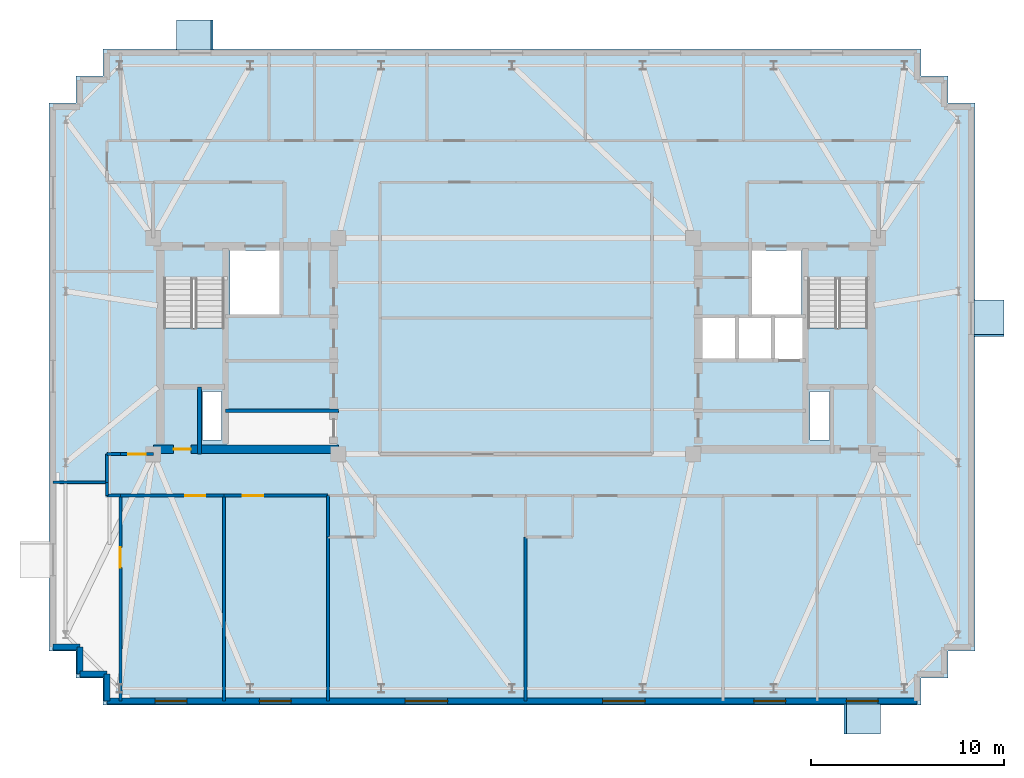
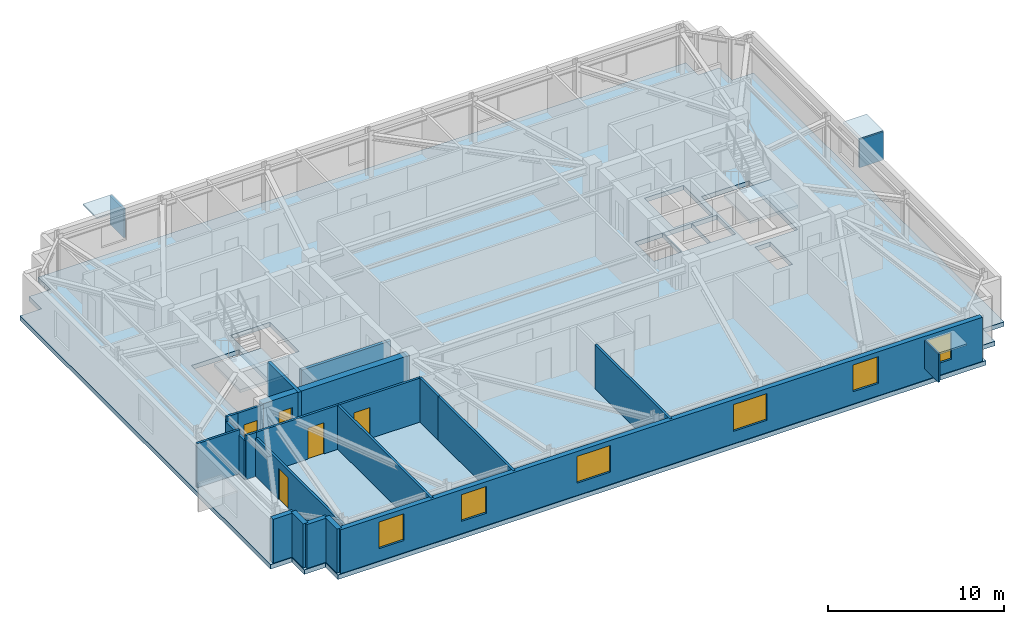
# One storey, part 5 of 11: 21 walls, 6 plates, 6 windows, 5 doors, 3 slabs, 11 openings, 2 elements without a shape of their own.
"""IFC4 building model written with IfcOpenShell, lengths in metres."""

from ifc_helpers import new_model, si_unit, direction, frame, frame_2d, origin, origin_2d, place, context, subcontext, project, spatial, polyline, rectangle, outline, extrude, material, layer, layer_set, type_object, element, fill, aggregate, save


model = new_model("IFC4")

# Units and contexts
model_context = context("Model", 3, precision=1e-05, world=origin(), true_north=direction((0.0, 1.0)))
body_context = subcontext(model_context, "Body", "Model", "MODEL_VIEW")
ifc_project = project(units=[si_unit("LENGTHUNIT", "METRE"), si_unit("AREAUNIT", "SQUARE_METRE"), si_unit("VOLUMEUNIT", "CUBIC_METRE"), si_unit("PLANEANGLEUNIT", "RADIAN"), si_unit("MASSUNIT", "GRAM", prefix="KILO")], contexts=[model_context])

# Site, building, storey
site_placement = place(None, origin())
site = spatial("IfcSite", under=ifc_project, at=site_placement, CompositionType="ELEMENT")
building_placement = place(site_placement, origin())
building = spatial("IfcBuilding", under=site, at=building_placement, Name="Qobustan Lattice House", CompositionType="ELEMENT")
storey_placement = place(building_placement, frame((0.0, 0.0, 255.10009765625)))
storey = spatial("IfcBuildingStorey", under=building, at=storey_placement, Name="L72", CompositionType="ELEMENT", Elevation=255.10009765625)

# Plates
ifc_material_1 = material(Name="Qobustan limestone GFRC", Category="masonry")
ifc_layer_1 = layer(ifc_material_1, 0.1201171875)
ifc_layer_set_1 = layer_set([ifc_layer_1], Name="Qobustan limestone GFRC")
plate_type = type_object("IfcPlateType", Name="SHD-HOOD-BROW", PredefinedType="USERDEFINED", material=ifc_layer_set_1)
plate_1_placement = place(storey_placement, frame((-16.639892578125, 16.1298828125, 2.699951171875), z_axis=(0.0, 0.0, 1.0), x_axis=(1.0, 0.0, 0.0)))
element("IfcPlate", 1, at=plate_1_placement, inside=storey, type_object=plate_type, Name="L72 splayed Qobustan stone hood brow", ObjectType="SUNSHADE", PredefinedType="USERDEFINED", context=body_context, shape_type="SweptSolid", body=[
    extrude(rectangle(XDim=1.889892578125, YDim=1.56005859375, at=origin_2d()), origin(), (0.0, 0.0, 1.0), 0.1201171875),
])
plate_2_placement = place(storey_placement, frame((-15.7548828125, 16.1298828125, 0.7900390625), z_axis=(0.0, 0.0, 1.0), x_axis=(1.0, 0.0, 0.0)))
element("IfcPlate", 2, at=plate_2_placement, inside=storey, type_object=plate_type, Name="L72 splayed Qobustan stone hood cheek", ObjectType="SUNSHADE", PredefinedType="USERDEFINED", context=body_context, shape_type="SweptSolid", body=[
    extrude(rectangle(XDim=0.1201171875, YDim=1.56005859375, at=origin_2d()), origin(), (0.0, 0.0, 1.0), 1.969970703125),
])
plate_3_placement = place(storey_placement, frame((24.530029296875, 1.43994140625, 2.699951171875), z_axis=(0.0, 0.0, 1.0), x_axis=(0.0, -1.0, 0.0)))
element("IfcPlate", 3, at=plate_3_placement, inside=storey, type_object=plate_type, Name="L72 splayed Qobustan stone hood brow", ObjectType="SUNSHADE", PredefinedType="USERDEFINED", context=body_context, shape_type="SweptSolid", body=[
    extrude(rectangle(XDim=1.889892578125, YDim=1.56005859375, at=origin_2d()), origin(), (0.0, 0.0, 1.0), 0.1201171875),
])
plate_4_placement = place(storey_placement, frame((24.530029296875, 0.554931640625, 0.7900390625), z_axis=(0.0, 0.0, 1.0), x_axis=(0.0, -1.0, 0.0)))
element("IfcPlate", 4, at=plate_4_placement, inside=storey, type_object=plate_type, Name="L72 splayed Qobustan stone hood cheek", ObjectType="SUNSHADE", PredefinedType="USERDEFINED", context=body_context, shape_type="SweptSolid", body=[
    extrude(rectangle(XDim=0.1201171875, YDim=1.56005859375, at=origin_2d()), origin(), (0.0, 0.0, 1.0), 1.969970703125),
])
plate_5_placement = place(storey_placement, frame((17.9599609375, -19.330078125, 2.699951171875), z_axis=(0.0, 0.0, 1.0), x_axis=(-1.0, 0.0, 0.0)))
element("IfcPlate", 5, at=plate_5_placement, inside=storey, type_object=plate_type, Name="L72 splayed Qobustan stone hood brow", ObjectType="SUNSHADE", PredefinedType="USERDEFINED", context=body_context, shape_type="SweptSolid", body=[
    extrude(rectangle(XDim=1.889892578125, YDim=1.56005859375, at=origin_2d()), origin(), (0.0, 0.0, 1.0), 0.1201171875),
])
plate_6_placement = place(storey_placement, frame((17.074951171875, -19.330078125, 0.7900390625), z_axis=(0.0, 0.0, 1.0), x_axis=(-1.0, 0.0, 0.0)))
element("IfcPlate", 6, at=plate_6_placement, inside=storey, type_object=plate_type, Name="L72 splayed Qobustan stone hood cheek", ObjectType="SUNSHADE", PredefinedType="USERDEFINED", context=body_context, shape_type="SweptSolid", body=[
    extrude(rectangle(XDim=0.1201171875, YDim=1.56005859375, at=origin_2d()), origin(), (0.0, 0.0, 1.0), 1.969970703125),
])

# Slab
ifc_material_2 = material(Name="Concrete C40/50", Category="concrete")
ifc_layer_2 = layer(ifc_material_2, 0.31005859375)
ifc_layer_set_2 = layer_set([ifc_layer_2], Name="Concrete C40/50")
slab_type_1 = type_object("IfcSlabType", Name="SLB-FLR-310", PredefinedType="FLOOR", material=ifc_layer_set_2)
slab_1_placement = place(storey_placement, frame((0.0, 0.0, -0.31005859375)))
element("IfcSlab", 7, at=slab_1_placement, inside=storey, type_object=slab_type_1, Name="L72 structural floor slab", PredefinedType="FLOOR", context=body_context, shape_type="SweptSolid", body=[
    extrude(outline(polyline([(-21.39990234375, -18.60009765625), (21.0, -18.60009765625), (21.0, -17.199951171875), (22.39990234375, -17.199951171875), (22.39990234375, -15.800048828125), (23.800048828125, -15.800048828125), (23.800048828125, 12.60009765625), (22.39990234375, 12.60009765625), (22.39990234375, 14.0), (21.0, 14.0), (21.0, 15.39990234375), (-21.39990234375, 15.39990234375), (-21.39990234375, 14.0), (-22.800048828125, 14.0), (-22.800048828125, 12.60009765625), (-24.199951171875, 12.60009765625), (-24.199951171875, -15.800048828125), (-22.800048828125, -15.800048828125), (-22.800048828125, -17.199951171875), (-21.39990234375, -17.199951171875), (-21.39990234375, -18.60009765625)]), holes=[polyline([(-18.25, -2.050048828125), (-18.25, 3.489990234375), (-15.1298828125, 3.489990234375), (-15.1298828125, -2.050048828125), (-18.25, -2.050048828125)]), polyline([(15.1298828125, -2.050048828125), (15.1298828125, 3.489990234375), (18.25, 3.489990234375), (18.25, -2.050048828125), (15.1298828125, -2.050048828125)]), polyline([(-14.820068359375, 1.64990234375), (-14.820068359375, 4.9599609375), (-12.25, 4.9599609375), (-12.25, 1.64990234375), (-14.820068359375, 1.64990234375)]), polyline([(12.25, 1.64990234375), (12.25, 4.9599609375), (14.820068359375, 4.9599609375), (14.820068359375, 1.64990234375), (12.25, 1.64990234375)]), polyline([(-16.260009765625, -4.8798828125), (-16.260009765625, -2.360107421875), (-15.260009765625, -2.360107421875), (-15.260009765625, -4.8798828125), (-16.260009765625, -4.8798828125)]), polyline([(15.260009765625, -4.8798828125), (15.260009765625, -2.360107421875), (16.260009765625, -2.360107421875), (16.260009765625, -4.8798828125), (15.260009765625, -4.8798828125)]), polyline([(13.360107421875, -0.679931640625), (13.360107421875, 1.47998046875), (14.97998046875, 1.47998046875), (14.97998046875, -0.679931640625), (13.360107421875, -0.679931640625)]), polyline([(9.6201171875, -0.679931640625), (9.6201171875, 1.47998046875), (11.43994140625, 1.47998046875), (11.43994140625, -0.679931640625), (9.6201171875, -0.679931640625)]), polyline([(11.5, -0.679931640625), (11.5, 1.47998046875), (13.320068359375, 1.47998046875), (13.320068359375, -0.679931640625), (11.5, -0.679931640625)])]), origin(), (0.0, 0.0, 1.0), 0.31005859375),
])

# Stair, slab
ifc_material_3 = material(Name="Concrete C40/50", Category="concrete")
stair_type = type_object("IfcStairType", Name="STR-CORE-DOGLEG", PredefinedType="HALF_TURN_STAIR", material=ifc_material_3)
stair_1_placement = place(storey_placement, origin())
stair_1 = element("IfcStair", 8, at=stair_1_placement, inside=storey, type_object=stair_type, Name="L72 West protected exit stair ST-W1", PredefinedType="HALF_TURN_STAIR")
ifc_material_4 = material(Name="Concrete C40/50", Category="concrete")
ifc_layer_3 = layer(ifc_material_4, 0.199951171875)
ifc_layer_set_3 = layer_set([ifc_layer_3], Name="Concrete C40/50")
slab_type_2 = type_object("IfcSlabType", Name="SLB-LANDING-200", PredefinedType="LANDING", material=ifc_layer_set_3)
slab_2_placement = place(storey_placement, frame((0.0, 0.0, 1.474853515625)))
slab_2 = element("IfcSlab", 9, at=slab_2_placement, type_object=slab_type_2, Name="ST-W1 landing 1", PredefinedType="LANDING", context=body_context, shape_type="SweptSolid", body=[
    extrude(outline(polyline([(-18.25, 0.93505859375), (-18.25, -2.050048828125), (-15.1298828125, -2.050048828125), (-15.1298828125, 0.93505859375), (-18.25, 0.93505859375)])), origin(), (0.0, 0.0, 1.0), 0.199951171875),
])
aggregate(stair_1, [slab_2])

stair_2_placement = place(storey_placement, origin())
stair_2 = element("IfcStair", 10, at=stair_2_placement, inside=storey, type_object=stair_type, Name="L72 East protected exit stair ST-E1", PredefinedType="HALF_TURN_STAIR")
slab_3_placement = place(storey_placement, frame((0.0, 0.0, 1.474853515625)))
slab_3 = element("IfcSlab", 11, at=slab_3_placement, type_object=slab_type_2, Name="ST-E1 landing 1", PredefinedType="LANDING", context=body_context, shape_type="SweptSolid", body=[
    extrude(outline(polyline([(15.1298828125, 0.93505859375), (15.1298828125, -2.050048828125), (18.25, -2.050048828125), (18.25, 0.93505859375), (15.1298828125, 0.93505859375)])), origin(), (0.0, 0.0, 1.0), 0.199951171875),
])
aggregate(stair_2, [slab_3])

# Wall, opening, door
ifc_material_5 = material(Name="Concrete C50/60", Category="concrete")
ifc_layer_4 = layer(ifc_material_5, 0.43994140625)
ifc_layer_set_4 = layer_set([ifc_layer_4], Name="Concrete C50/60")
wall_type_1 = type_object("IfcWallType", Name="WAL-CORE-440", PredefinedType="SHEAR", material=ifc_layer_set_4)
wall_1_placement = place(storey_placement, frame((-18.800048828125, -5.35009765625, 0.0), z_axis=(0.0, 0.0, 1.0), x_axis=(1.0, 0.0, 0.0)))
wall_1 = element("IfcWall", 12, at=wall_1_placement, inside=storey, type_object=wall_type_1, Name="L72 split-core shear wall CW-S", PredefinedType="SHEAR", context=body_context, shape_type="SweptSolid", body=[
    extrude(rectangle(XDim=9.60009765625, YDim=0.43994140625, at=frame_2d((4.800048828125, 0.0))), origin(), (0.0, 0.0, 1.0), 3.039794921875),
])
opening_1_placement = place(wall_1_placement, frame((1.050048828125, 0.0, 0.0)))
opening_1 = element("IfcOpeningElement", 13, at=opening_1_placement, cuts=wall_1, Name="Opening RD-01", PredefinedType="OPENING", context=body_context, shape_type="SweptSolid", body=[
    extrude(rectangle(XDim=0.89990234375, YDim=2.10009765625, at=frame_2d((0.449951171875, 1.050048828125))), frame((0.0, 0.22998046875, 0.0), z_axis=(0.0, -1.0, 0.0), x_axis=(1.0, 0.0, 0.0)), (0.0, 0.0, 1.0), 0.4599609375),
])
ifc_material_6 = material(Name="Persian walnut timber and steel frame door", Category="steel")
door_type_1 = type_object("IfcDoorType", Name="DOR-RISER-FD-900x2100", OperationType="NOTDEFINED", PredefinedType="DOOR", material=ifc_material_6)
door_1_placement = place(opening_1_placement, origin())
door_1 = element("IfcDoor", 14, at=door_1_placement, inside=storey, type_object=door_type_1, Name="L72 core service riser access door W", OperationType="SINGLE_SWING_RIGHT", OverallHeight=2.10009765625, OverallWidth=0.89990234375, PredefinedType="DOOR", context=body_context, shape_type="SweptSolid", body=[
    extrude(rectangle(XDim=0.89990234375, YDim=2.10009765625, at=frame_2d((0.449951171875, 1.050048828125))), frame((0.0, 0.02490234375, 0.0), z_axis=(0.0, -1.0, 0.0), x_axis=(1.0, 0.0, 0.0)), (0.0, 0.0, 1.0), 0.050048828125),
])
fill(opening_1, door_1)

# Walls
ifc_material_7 = material(Name="Precast concrete C40/50", Category="concrete")
ifc_layer_5 = layer(ifc_material_7, 0.320068359375)
ifc_layer_set_5 = layer_set([ifc_layer_5], Name="Precast concrete C40/50")
wall_type_2 = type_object("IfcWallType", Name="WAL-EXT-STONE-320", PredefinedType="SOLIDWALL", material=ifc_layer_set_5)
wall_2_placement = place(storey_placement, frame((-21.199951171875, -18.39990234375, 0.0), z_axis=(0.0, 0.0, 1.0), x_axis=(0.0, 1.0, 0.0)))
element("IfcWall", 15, at=wall_2_placement, inside=storey, type_object=wall_type_2, Name="L72 exterior limestone-clad wall 1", PredefinedType="SOLIDWALL", context=body_context, shape_type="SweptSolid", body=[
    extrude(rectangle(XDim=1.39990234375, YDim=0.320068359375, at=frame_2d((0.699951171875, 0.0))), origin(), (0.0, 0.0, 1.0), 3.039794921875),
])
wall_3_placement = place(storey_placement, frame((-21.199951171875, -17.0, 0.0), z_axis=(0.0, 0.0, 1.0), x_axis=(-1.0, 0.0, 0.0)))
element("IfcWall", 16, at=wall_3_placement, inside=storey, type_object=wall_type_2, Name="L72 exterior limestone-clad wall 2", PredefinedType="SOLIDWALL", context=body_context, shape_type="SweptSolid", body=[
    extrude(rectangle(XDim=1.400146484375, YDim=0.320068359375, at=frame_2d((0.7001953125, 0.0))), origin(), (0.0, 0.0, 1.0), 3.039794921875),
])
for number, where, z_axis, x_axis, name in (
    (17, (-22.60009765625, -17.0, 0.0), (0.0, 0.0, 1.0), (0.0, 1.0, 0.0), "L72 exterior limestone-clad wall 3"),
    (18, (-22.60009765625, -15.60009765625, 0.0), (0.0, 0.0, 1.0), (-1.0, 0.0, 0.0), "L72 exterior limestone-clad wall 4"),
):
    element("IfcWall", number, at=place(storey_placement, frame(where, z_axis=z_axis, x_axis=x_axis)), inside=storey, type_object=wall_type_2, Name=name, PredefinedType="SOLIDWALL", context=body_context, shape_type="SweptSolid", body=[
        extrude(rectangle(XDim=1.39990234375, YDim=0.320068359375, at=frame_2d((0.699951171875, 0.0))), origin(), (0.0, 0.0, 1.0), 3.039794921875),
    ])

# Wall, openings, windows
wall_4_placement = place(storey_placement, frame((20.800048828125, -18.39990234375, 0.0), z_axis=(0.0, 0.0, 1.0), x_axis=(-1.0, 0.0, 0.0)))
wall_4 = element("IfcWall", 19, at=wall_4_placement, inside=storey, type_object=wall_type_2, Name="L72 exterior limestone-clad wall 20", PredefinedType="SOLIDWALL", context=body_context, shape_type="SweptSolid", body=[
    extrude(rectangle(XDim=42.0, YDim=0.320068359375, at=frame_2d((21.0, 0.0))), origin(), (0.0, 0.0, 1.0), 3.039794921875),
])
opening_2_placement = place(wall_4_placement, frame((2.014892578125, 0.0, 0.85009765625)))
opening_2 = element("IfcOpeningElement", 20, at=opening_2_placement, cuts=wall_4, Name="Opening WN-09", PredefinedType="OPENING", context=body_context, shape_type="SweptSolid", body=[
    extrude(rectangle(XDim=1.64990234375, YDim=1.85009765625, at=frame_2d((0.824951171875, 0.925048828125))), frame((0.0, 0.169921875, 0.0), z_axis=(0.0, -1.0, 0.0), x_axis=(1.0, 0.0, 0.0)), (0.0, 0.0, 1.0), 0.340087890625),
])
opening_3_placement = place(wall_4_placement, frame((6.81494140625, 0.0, 0.85009765625)))
opening_3 = element("IfcOpeningElement", 21, at=opening_3_placement, cuts=wall_4, Name="Opening WN-09", PredefinedType="OPENING", context=body_context, shape_type="SweptSolid", body=[
    extrude(rectangle(XDim=1.64990234375, YDim=1.85009765625, at=frame_2d((0.824951171875, 0.925048828125))), frame((0.0, 0.169921875, 0.0), z_axis=(0.0, -1.0, 0.0), x_axis=(1.0, 0.0, 0.0)), (0.0, 0.0, 1.0), 0.340087890625),
])
opening_4_placement = place(wall_4_placement, frame((14.10009765625, 0.0, 0.85009765625)))
opening_4 = element("IfcOpeningElement", 22, at=opening_4_placement, cuts=wall_4, Name="Opening WN-03", PredefinedType="OPENING", context=body_context, shape_type="SweptSolid", body=[
    extrude(rectangle(XDim=2.199951171875, YDim=1.85009765625, at=frame_2d((1.10009765625, 0.925048828125))), frame((0.0, 0.169921875, 0.0), z_axis=(0.0, -1.0, 0.0), x_axis=(1.0, 0.0, 0.0)), (0.0, 0.0, 1.0), 0.340087890625),
])
opening_5_placement = place(wall_4_placement, frame((24.340087890625, 0.0, 0.85009765625)))
opening_5 = element("IfcOpeningElement", 23, at=opening_5_placement, cuts=wall_4, Name="Opening WN-03", PredefinedType="OPENING", context=body_context, shape_type="SweptSolid", body=[
    extrude(rectangle(XDim=2.199951171875, YDim=1.85009765625, at=frame_2d((1.10009765625, 0.925048828125))), frame((0.0, 0.169921875, 0.0), z_axis=(0.0, -1.0, 0.0), x_axis=(1.0, 0.0, 0.0)), (0.0, 0.0, 1.0), 0.340087890625),
])
opening_6_placement = place(wall_4_placement, frame((32.455078125, 0.0, 0.85009765625)))
opening_6 = element("IfcOpeningElement", 24, at=opening_6_placement, cuts=wall_4, Name="Opening WN-09", PredefinedType="OPENING", context=body_context, shape_type="SweptSolid", body=[
    extrude(rectangle(XDim=1.64990234375, YDim=1.85009765625, at=frame_2d((0.824951171875, 0.925048828125))), frame((0.0, 0.169921875, 0.0), z_axis=(0.0, -1.0, 0.0), x_axis=(1.0, 0.0, 0.0)), (0.0, 0.0, 1.0), 0.340087890625),
])
opening_7_placement = place(wall_4_placement, frame((37.85498046875, 0.0, 0.85009765625)))
opening_7 = element("IfcOpeningElement", 25, at=opening_7_placement, cuts=wall_4, Name="Opening WN-09", PredefinedType="OPENING", context=body_context, shape_type="SweptSolid", body=[
    extrude(rectangle(XDim=1.64990234375, YDim=1.85009765625, at=frame_2d((0.824951171875, 0.925048828125))), frame((0.0, 0.169921875, 0.0), z_axis=(0.0, -1.0, 0.0), x_axis=(1.0, 0.0, 0.0)), (0.0, 0.0, 1.0), 0.340087890625),
])
ifc_material_8 = material(Name="Double-glazed low-E aluminium window", Category="aluminium")
window_type_1 = type_object("IfcWindowType", Name="WIN-STU-1650x1850", PartitioningType="SINGLE_PANEL", PredefinedType="WINDOW", material=ifc_material_8)
window_1_placement = place(opening_2_placement, origin())
window_1 = element("IfcWindow", 26, at=window_1_placement, inside=storey, type_object=window_type_1, Name="L72 Academic seminar room window", OverallHeight=1.85009765625, OverallWidth=1.64990234375, PartitioningType="SINGLE_PANEL", PredefinedType="WINDOW", context=body_context, shape_type="SweptSolid", body=[
    extrude(rectangle(XDim=1.64990234375, YDim=1.85009765625, at=frame_2d((0.824951171875, 0.925048828125))), frame((0.0, 0.030029296875, 0.0), z_axis=(0.0, -1.0, 0.0), x_axis=(1.0, 0.0, 0.0)), (0.0, 0.0, 1.0), 0.06005859375),
])
fill(opening_2, window_1)
window_2_placement = place(opening_3_placement, origin())
window_2 = element("IfcWindow", 27, at=window_2_placement, inside=storey, type_object=window_type_1, Name="L72 Group study room window", OverallHeight=1.85009765625, OverallWidth=1.64990234375, PartitioningType="SINGLE_PANEL", PredefinedType="WINDOW", context=body_context, shape_type="SweptSolid", body=[
    extrude(rectangle(XDim=1.64990234375, YDim=1.85009765625, at=frame_2d((0.824951171875, 0.925048828125))), frame((0.0, 0.030029296875, 0.0), z_axis=(0.0, -1.0, 0.0), x_axis=(1.0, 0.0, 0.0)), (0.0, 0.0, 1.0), 0.06005859375),
])
fill(opening_3, window_2)
window_3_placement = place(opening_6_placement, origin())
window_3 = element("IfcWindow", 28, at=window_3_placement, inside=storey, type_object=window_type_1, Name="L72 Focus study room S1B window", OverallHeight=1.85009765625, OverallWidth=1.64990234375, PartitioningType="SINGLE_PANEL", PredefinedType="WINDOW", context=body_context, shape_type="SweptSolid", body=[
    extrude(rectangle(XDim=1.64990234375, YDim=1.85009765625, at=frame_2d((0.824951171875, 0.925048828125))), frame((0.0, 0.030029296875, 0.0), z_axis=(0.0, -1.0, 0.0), x_axis=(1.0, 0.0, 0.0)), (0.0, 0.0, 1.0), 0.06005859375),
])
fill(opening_6, window_3)
window_4_placement = place(opening_7_placement, origin())
window_4 = element("IfcWindow", 29, at=window_4_placement, inside=storey, type_object=window_type_1, Name="L72 Focus study room S1A window", OverallHeight=1.85009765625, OverallWidth=1.64990234375, PartitioningType="SINGLE_PANEL", PredefinedType="WINDOW", context=body_context, shape_type="SweptSolid", body=[
    extrude(rectangle(XDim=1.64990234375, YDim=1.85009765625, at=frame_2d((0.824951171875, 0.925048828125))), frame((0.0, 0.030029296875, 0.0), z_axis=(0.0, -1.0, 0.0), x_axis=(1.0, 0.0, 0.0)), (0.0, 0.0, 1.0), 0.06005859375),
])
fill(opening_7, window_4)
ifc_material_9 = material(Name="Double-glazed low-E aluminium window", Category="aluminium")
window_type_2 = type_object("IfcWindowType", Name="WIN-WIDE-2200x1850", PartitioningType="SINGLE_PANEL", PredefinedType="WINDOW", material=ifc_material_9)
window_5_placement = place(opening_4_placement, origin())
window_5 = element("IfcWindow", 30, at=window_5_placement, inside=storey, type_object=window_type_2, Name="L72 Kitchenette and studio apartment L72-S3 window", OverallHeight=1.85009765625, OverallWidth=2.199951171875, PartitioningType="SINGLE_PANEL", PredefinedType="WINDOW", context=body_context, shape_type="SweptSolid", body=[
    extrude(rectangle(XDim=2.199951171875, YDim=1.85009765625, at=frame_2d((1.10009765625, 0.925048828125))), frame((0.0, 0.030029296875, 0.0), z_axis=(0.0, -1.0, 0.0), x_axis=(1.0, 0.0, 0.0)), (0.0, 0.0, 1.0), 0.06005859375),
])
fill(opening_4, window_5)
window_6_placement = place(opening_5_placement, origin())
window_6 = element("IfcWindow", 31, at=window_6_placement, inside=storey, type_object=window_type_2, Name="L72 Kitchenette and studio apartment L72-S2 window", OverallHeight=1.85009765625, OverallWidth=2.199951171875, PartitioningType="SINGLE_PANEL", PredefinedType="WINDOW", context=body_context, shape_type="SweptSolid", body=[
    extrude(rectangle(XDim=2.199951171875, YDim=1.85009765625, at=frame_2d((1.10009765625, 0.925048828125))), frame((0.0, 0.030029296875, 0.0), z_axis=(0.0, -1.0, 0.0), x_axis=(1.0, 0.0, 0.0)), (0.0, 0.0, 1.0), 0.06005859375),
])
fill(opening_5, window_6)

# Walls
ifc_material_10 = material(Name="Gypsum fireboard acoustic partition", Category="gypsum")
ifc_layer_6 = layer(ifc_material_10, 0.179931640625)
ifc_layer_set_6 = layer_set([ifc_layer_6], Name="Gypsum fireboard acoustic partition")
wall_type_3 = type_object("IfcWallType", Name="WAL-FIRE-180", PredefinedType="PARTITIONING", material=ifc_layer_set_6)
wall_5_placement = place(storey_placement, frame((-15.050048828125, -3.35009765625, 0.0), z_axis=(0.0, 0.0, 1.0), x_axis=(1.0, 0.0, 0.0)))
element("IfcWall", 32, at=wall_5_placement, inside=storey, type_object=wall_type_3, Name="L72 interior partition 10", PredefinedType="PARTITIONING", context=body_context, shape_type="SweptSolid", body=[
    extrude(rectangle(XDim=5.85009765625, YDim=0.179931640625, at=frame_2d((2.925048828125, 0.0))), origin(), (0.0, 0.0, 1.0), 2.7548828125),
])
ifc_material_11 = material(Name="Acoustic twin-stud gypsum partition", Category="gypsum")
ifc_layer_7 = layer(ifc_material_11, 0.14990234375)
ifc_layer_set_7 = layer_set([ifc_layer_7], Name="Acoustic twin-stud gypsum partition")
wall_type_4 = type_object("IfcWallType", Name="WAL-PART-150", PredefinedType="PARTITIONING", material=ifc_layer_set_7)
wall_6_placement = place(storey_placement, frame((-20.5, -7.75, 0.0), z_axis=(0.0, 0.0, 1.0), x_axis=(-1.0, 0.0, 0.0)))
element("IfcWall", 33, at=wall_6_placement, inside=storey, type_object=wall_type_4, Name="L72 interior partition 46", PredefinedType="PARTITIONING", context=body_context, shape_type="SweptSolid", body=[
    extrude(rectangle(XDim=0.699951171875, YDim=0.14990234375, at=frame_2d((0.35009765625, 0.0))), origin(), (0.0, 0.0, 1.0), 3.039794921875),
])
wall_7_placement = place(storey_placement, frame((-21.199951171875, -7.75, 0.0), z_axis=(0.0, 0.0, 1.0), x_axis=(0.0, 1.0, 0.0)))
element("IfcWall", 34, at=wall_7_placement, inside=storey, type_object=wall_type_4, Name="L72 interior partition 47", PredefinedType="PARTITIONING", context=body_context, shape_type="SweptSolid", body=[
    extrude(rectangle(XDim=0.68994140625, YDim=0.14990234375, at=frame_2d((0.344970703125, 0.0))), origin(), (0.0, 0.0, 1.0), 2.69482421875),
])

# Wall, opening, door
wall_8_placement = place(storey_placement, frame((-20.5, -5.60009765625, 0.0), z_axis=(0.0, 0.0, 1.0), x_axis=(1.0, 0.0, 0.0)))
wall_8 = element("IfcWall", 35, at=wall_8_placement, inside=storey, type_object=wall_type_4, Name="L72 interior partition 48", PredefinedType="PARTITIONING", context=body_context, shape_type="SweptSolid", body=[
    extrude(rectangle(XDim=1.699951171875, YDim=0.14990234375, at=frame_2d((0.85009765625, 0.0))), origin(), (0.0, 0.0, 1.0), 3.039794921875),
])
opening_8_placement = place(wall_8_placement, frame((0.39990234375, 0.0, 0.0)))
opening_8 = element("IfcOpeningElement", 36, at=opening_8_placement, cuts=wall_8, Name="Opening WD-01", PredefinedType="OPENING", context=body_context, shape_type="SweptSolid", body=[
    extrude(rectangle(XDim=0.89990234375, YDim=2.10009765625, at=frame_2d((0.449951171875, 1.050048828125))), frame((0.0, 0.0849609375, 0.0), z_axis=(0.0, -1.0, 0.0), x_axis=(1.0, 0.0, 0.0)), (0.0, 0.0, 1.0), 0.169921875),
])
ifc_material_12 = material(Name="Persian walnut timber and steel frame door", Category="steel")
door_type_2 = type_object("IfcDoorType", Name="DOR-WET-900x2100", OperationType="NOTDEFINED", PredefinedType="DOOR", material=ifc_material_12)
door_2_placement = place(opening_8_placement, origin())
door_2 = element("IfcDoor", 37, at=door_2_placement, inside=storey, type_object=door_type_2, Name="L72 South-west floor corridor to Focus study room W2 door", OperationType="SINGLE_SWING_RIGHT", OverallHeight=2.10009765625, OverallWidth=0.89990234375, PredefinedType="DOOR", context=body_context, shape_type="SweptSolid", body=[
    extrude(rectangle(XDim=0.89990234375, YDim=2.10009765625, at=frame_2d((0.449951171875, 1.050048828125))), frame((0.0, 0.02490234375, 0.0), z_axis=(0.0, -1.0, 0.0), x_axis=(1.0, 0.0, 0.0)), (0.0, 0.0, 1.0), 0.050048828125),
])
fill(opening_8, door_2)

# Walls
wall_9_placement = place(storey_placement, frame((-21.199951171875, -7.06005859375, 0.0), z_axis=(0.0, 0.0, 1.0), x_axis=(0.0, 1.0, 0.0)))
element("IfcWall", 38, at=wall_9_placement, inside=storey, type_object=wall_type_4, Name="L72 interior partition 49", PredefinedType="PARTITIONING", context=body_context, shape_type="SweptSolid", body=[
    extrude(rectangle(XDim=1.4599609375, YDim=0.14990234375, at=frame_2d((0.72998046875, 0.0))), origin(), (0.0, 0.0, 1.0), 2.69482421875),
])
wall_10_placement = place(storey_placement, frame((-21.199951171875, -5.60009765625, 0.0), z_axis=(0.0, 0.0, 1.0), x_axis=(1.0, 0.0, 0.0)))
element("IfcWall", 39, at=wall_10_placement, inside=storey, type_object=wall_type_4, Name="L72 interior partition 50", PredefinedType="PARTITIONING", context=body_context, shape_type="SweptSolid", body=[
    extrude(rectangle(XDim=0.699951171875, YDim=0.14990234375, at=frame_2d((0.35009765625, 0.0))), origin(), (0.0, 0.0, 1.0), 3.039794921875),
])

# Wall, opening, door
wall_11_placement = place(storey_placement, frame((-15.125, -7.75, 0.0), z_axis=(0.0, 0.0, 1.0), x_axis=(-1.0, 0.0, 0.0)))
wall_11 = element("IfcWall", 40, at=wall_11_placement, inside=storey, type_object=wall_type_4, Name="L72 interior partition 51", PredefinedType="PARTITIONING", context=body_context, shape_type="SweptSolid", body=[
    extrude(rectangle(XDim=5.375, YDim=0.14990234375, at=frame_2d((2.6875, 0.0))), origin(), (0.0, 0.0, 1.0), 3.039794921875),
])
opening_9_placement = place(wall_11_placement, frame((0.9755859375, 0.0, 0.0)))
opening_9 = element("IfcOpeningElement", 41, at=opening_9_placement, cuts=wall_11, Name="Opening ID-02", PredefinedType="OPENING", context=body_context, shape_type="SweptSolid", body=[
    extrude(rectangle(XDim=1.050048828125, YDim=2.14990234375, at=frame_2d((0.52490234375, 1.074951171875))), frame((0.0, 0.0849609375, 0.0), z_axis=(0.0, -1.0, 0.0), x_axis=(1.0, 0.0, 0.0)), (0.0, 0.0, 1.0), 0.169921875),
])
ifc_material_13 = material(Name="Persian walnut timber and steel frame door", Category="steel")
door_type_3 = type_object("IfcDoorType", Name="DOR-STUDY-1050x2150", OperationType="NOTDEFINED", PredefinedType="DOOR", material=ifc_material_13)
door_3_placement = place(opening_9_placement, origin())
door_3 = element("IfcDoor", 42, at=door_3_placement, inside=storey, type_object=door_type_3, Name="L72 South-west floor corridor to Focus study room S1A door", OperationType="SINGLE_SWING_LEFT", OverallHeight=2.14990234375, OverallWidth=1.050048828125, PredefinedType="DOOR", context=body_context, shape_type="SweptSolid", body=[
    extrude(rectangle(XDim=1.050048828125, YDim=2.14990234375, at=frame_2d((0.52490234375, 1.074951171875))), frame((0.0, 0.02490234375, 0.0), z_axis=(0.0, -1.0, 0.0), x_axis=(1.0, 0.0, 0.0)), (0.0, 0.0, 1.0), 0.050048828125),
])
fill(opening_9, door_3)

wall_12_placement = place(storey_placement, frame((-9.75, -7.75, 0.0), z_axis=(0.0, 0.0, 1.0), x_axis=(-1.0, 0.0, 0.0)))
wall_12 = element("IfcWall", 43, at=wall_12_placement, inside=storey, type_object=wall_type_4, Name="L72 interior partition 52", PredefinedType="PARTITIONING", context=body_context, shape_type="SweptSolid", body=[
    extrude(rectangle(XDim=5.375, YDim=0.14990234375, at=frame_2d((2.6875, 0.0))), origin(), (0.0, 0.0, 1.0), 3.039794921875),
])
opening_10_placement = place(wall_12_placement, frame((3.349365234375, 0.0, 0.0)))
opening_10 = element("IfcOpeningElement", 44, at=opening_10_placement, cuts=wall_12, Name="Opening ID-02", PredefinedType="OPENING", context=body_context, shape_type="SweptSolid", body=[
    extrude(rectangle(XDim=1.050048828125, YDim=2.14990234375, at=frame_2d((0.52490234375, 1.074951171875))), frame((0.0, 0.0849609375, 0.0), z_axis=(0.0, -1.0, 0.0), x_axis=(1.0, 0.0, 0.0)), (0.0, 0.0, 1.0), 0.169921875),
])
door_4_placement = place(opening_10_placement, origin())
door_4 = element("IfcDoor", 45, at=door_4_placement, inside=storey, type_object=door_type_3, Name="L72 South-west floor corridor to Focus study room S1B door", OperationType="SINGLE_SWING_RIGHT", OverallHeight=2.14990234375, OverallWidth=1.050048828125, PredefinedType="DOOR", context=body_context, shape_type="SweptSolid", body=[
    extrude(rectangle(XDim=1.050048828125, YDim=2.14990234375, at=frame_2d((0.52490234375, 1.074951171875))), frame((0.0, 0.02490234375, 0.0), z_axis=(0.0, -1.0, 0.0), x_axis=(1.0, 0.0, 0.0)), (0.0, 0.0, 1.0), 0.050048828125),
])
fill(opening_10, door_4)

# Wall
wall_13_placement = place(storey_placement, frame((-24.0, -7.06005859375, 0.0), z_axis=(0.0, 0.0, 1.0), x_axis=(1.0, 0.0, 0.0)))
element("IfcWall", 46, at=wall_13_placement, inside=storey, type_object=wall_type_4, Name="L72 interior partition 68", PredefinedType="PARTITIONING", context=body_context, shape_type="SweptSolid", body=[
    extrude(rectangle(XDim=2.800048828125, YDim=0.14990234375, at=frame_2d((1.39990234375, 0.0))), origin(), (0.0, 0.0, 1.0), 3.039794921875),
])

# Wall, opening, door
wall_14_placement = place(storey_placement, frame((-20.5, -7.75, 0.0), z_axis=(0.0, 0.0, 1.0), x_axis=(0.0, -1.0, 0.0)))
wall_14 = element("IfcWall", 47, at=wall_14_placement, inside=storey, type_object=wall_type_4, Name="L72 interior partition 69", PredefinedType="PARTITIONING", context=body_context, shape_type="SweptSolid", body=[
    extrude(rectangle(XDim=10.64990234375, YDim=0.14990234375, at=frame_2d((5.324951171875, 0.0))), origin(), (0.0, 0.0, 1.0), 2.664794921875),
])
opening_11_placement = place(wall_14_placement, frame((2.68994140625, 0.0, 0.0)))
opening_11 = element("IfcOpeningElement", 48, at=opening_11_placement, cuts=wall_14, Name="Opening ID-02", PredefinedType="OPENING", context=body_context, shape_type="SweptSolid", body=[
    extrude(rectangle(XDim=1.050048828125, YDim=2.14990234375, at=frame_2d((0.52490234375, 1.074951171875))), frame((0.0, 0.0849609375, 0.0), z_axis=(0.0, -1.0, 0.0), x_axis=(1.0, 0.0, 0.0)), (0.0, 0.0, 1.0), 0.169921875),
])
door_5_placement = place(opening_11_placement, origin())
door_5 = element("IfcDoor", 49, at=door_5_placement, inside=storey, type_object=door_type_3, Name="L72 Focus study room W1 to Focus study room S1A door", OperationType="SINGLE_SWING_RIGHT", OverallHeight=2.14990234375, OverallWidth=1.050048828125, PredefinedType="DOOR", context=body_context, shape_type="SweptSolid", body=[
    extrude(rectangle(XDim=1.050048828125, YDim=2.14990234375, at=frame_2d((0.52490234375, 1.074951171875))), frame((0.0, 0.02490234375, 0.0), z_axis=(0.0, -1.0, 0.0), x_axis=(1.0, 0.0, 0.0)), (0.0, 0.0, 1.0), 0.050048828125),
])
fill(opening_11, door_5)

# Walls
wall_15_placement = place(storey_placement, frame((-15.125, -7.75, 0.0), z_axis=(0.0, 0.0, 1.0), x_axis=(0.0, -1.0, 0.0)))
element("IfcWall", 50, at=wall_15_placement, inside=storey, type_object=wall_type_4, Name="L72 interior partition 77", PredefinedType="PARTITIONING", context=body_context, shape_type="SweptSolid", body=[
    extrude(rectangle(XDim=10.64990234375, YDim=0.14990234375, at=frame_2d((5.324951171875, 0.0))), origin(), (0.0, 0.0, 1.0), 3.039794921875),
])
for number, where, z_axis, x_axis, name in (
    (51, (-9.75, -9.89990234375, 0.0), (0.0, 0.0, 1.0), (0.0, -1.0, 0.0), "L72 interior partition 78"),
    (52, (0.5, -9.89990234375, 0.0), (0.0, 0.0, 1.0), (0.0, -1.0, 0.0), "L72 interior partition 82"),
):
    element("IfcWall", number, at=place(storey_placement, frame(where, z_axis=z_axis, x_axis=x_axis)), inside=storey, type_object=wall_type_4, Name=name, PredefinedType="PARTITIONING", context=body_context, shape_type="SweptSolid", body=[
        extrude(rectangle(XDim=8.5, YDim=0.14990234375, at=frame_2d((4.25, 0.0))), origin(), (0.0, 0.0, 1.0), 3.039794921875),
    ])
ifc_material_14 = material(Name="Concrete C40/50", Category="concrete")
ifc_layer_8 = layer(ifc_material_14, 0.199951171875)
ifc_layer_set_8 = layer_set([ifc_layer_8], Name="Concrete C40/50")
wall_type_5 = type_object("IfcWallType", Name="WAL-SHAFT-200", PredefinedType="PARTITIONING", material=ifc_layer_set_8)
wall_16_placement = place(storey_placement, frame((-16.39990234375, -5.60009765625, 0.0), z_axis=(0.0, 0.0, 1.0), x_axis=(0.0, 1.0, 0.0)))
element("IfcWall", 53, at=wall_16_placement, inside=storey, type_object=wall_type_5, Name="L72 interior partition 1", PredefinedType="PARTITIONING", context=body_context, shape_type="SweptSolid", body=[
    extrude(rectangle(XDim=3.489990234375, YDim=0.199951171875, at=frame_2d((1.7451171875, 0.0))), origin(), (0.0, 0.0, 1.0), 3.039794921875),
])
ifc_material_15 = material(Name="Moisture-resistant acoustic plumbing wall", Category="gypsum")
ifc_layer_9 = layer(ifc_material_15, 0.14990234375)
ifc_layer_set_9 = layer_set([ifc_layer_9], Name="Moisture-resistant acoustic plumbing wall")
wall_type_6 = type_object("IfcWallType", Name="WAL-WET-150", PredefinedType="PLUMBINGWALL", material=ifc_layer_set_9)
wall_17_placement = place(storey_placement, frame((-9.75, -7.75, 0.0), z_axis=(0.0, 0.0, 1.0), x_axis=(0.0, -1.0, 0.0)))
element("IfcWall", 54, at=wall_17_placement, inside=storey, type_object=wall_type_6, Name="L72 interior partition 79", PredefinedType="PLUMBINGWALL", context=body_context, shape_type="SweptSolid", body=[
    extrude(rectangle(XDim=2.14990234375, YDim=0.14990234375, at=frame_2d((1.074951171875, 0.0))), origin(), (0.0, 0.0, 1.0), 3.039794921875),
])

save(model, "model.ifc")
